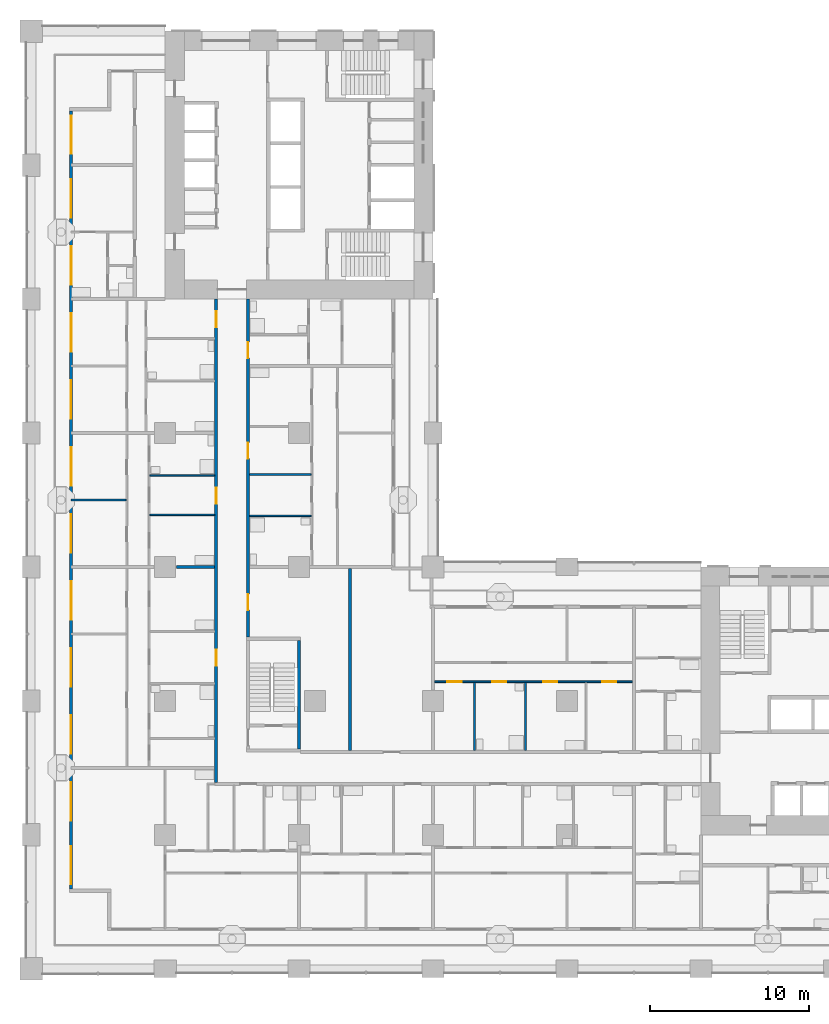
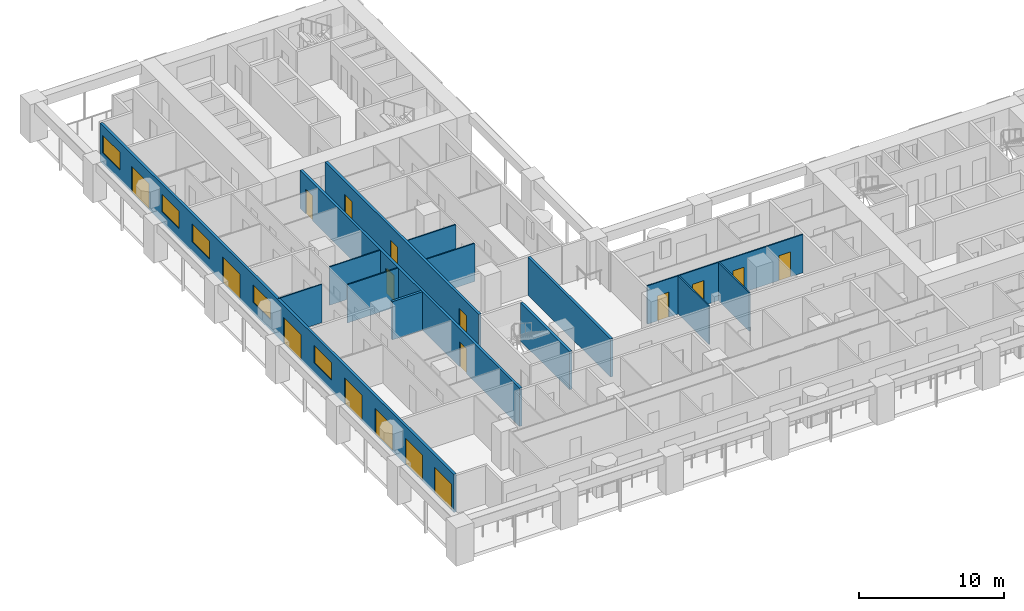
# One storey, part 4 of 22: 17 doors, 14 walls, 5 windows, 22 openings.
"""IFC4 building model written with IfcOpenShell, lengths in metres."""

import ifcopenshell
import ifcopenshell.guid

model = None  # the IFC model being written
_history = None  # IfcOwnerHistory: only IFC2X3 demands one
_inside = {}  # id of a spatial element -> (the spatial element, [elements in it])
_under = {}  # id of a project, library or spatial element -> (it, [spatial elements below it])
_declared = {}  # id of a project -> (the project, [libraries it declares])
_typed = {}  # id of a type object -> (the type object, [elements of that type])
_made_of = {}  # id of a material, layer set ... -> (it, [elements and type objects made of it])


def new_model(schema):
    """Start an empty IFC model of exactly this schema.

    Asked for "IFC4X3", IfcOpenShell would pick the latest addendum, in which some entities
    have other attributes; the version numbers below select the first issue.
    IFC2X3 requires an IfcOwnerHistory on every rooted entity: one is made here for all.
    """
    global model, _history
    if schema == "IFC4X3":
        model = ifcopenshell.file(schema_version=(4, 3, 0, 0))
    else:
        model = ifcopenshell.file(schema=schema)
    _inside.clear()
    _under.clear()
    _declared.clear()
    _typed.clear()
    _made_of.clear()
    _history = None
    if model.schema == "IFC2X3":
        org = make("IfcOrganization", Name="unknown")
        user = make(
            "IfcPersonAndOrganization",
            ThePerson=make("IfcPerson", FamilyName="unknown"),
            TheOrganization=org,
        )
        app = make(
            "IfcApplication",
            ApplicationDeveloper=org,
            Version="unknown",
            ApplicationFullName="unknown",
            ApplicationIdentifier="unknown",
        )
        _history = make(
            "IfcOwnerHistory",
            OwningUser=user,
            OwningApplication=app,
            ChangeAction="ADDED",
            CreationDate=0,
        )
    return model


def make(cls, **values):
    """One entity of the class cls with the attributes given. An attribute that is None is left unset."""
    return model.create_entity(
        cls, **{name: value for name, value in values.items() if value is not None}
    )


def rooted(cls, **values):
    """An entity with a GlobalId (a new one), such as an element, a storey or a relation."""
    return make(cls, GlobalId=ifcopenshell.guid.new(), OwnerHistory=_history, **values)


def si_unit(unit_type, name, prefix=None):
    """IfcSIUnit, for example si_unit("LENGTHUNIT", "METRE", prefix="MILLI")."""
    return make("IfcSIUnit", UnitType=unit_type, Prefix=prefix, Name=name)


def assignment(units):
    """IfcUnitAssignment: the units of a project."""
    return None if units is None else make("IfcUnitAssignment", Units=units)


def point(xyz):
    """IfcCartesianPoint."""
    return None if xyz is None else make("IfcCartesianPoint", Coordinates=xyz)


def direction(xyz):
    """IfcDirection."""
    return None if xyz is None else make("IfcDirection", DirectionRatios=xyz)


def frame(location, z_axis=None, x_axis=None):
    """IfcAxis2Placement3D, a coordinate frame: its origin and axes. An axis left out is left unset."""
    return make(
        "IfcAxis2Placement3D",
        Location=point(location),
        Axis=direction(z_axis),
        RefDirection=direction(x_axis),
    )


def frame_2d(location, x_axis=None):
    """IfcAxis2Placement2D, a coordinate frame in the plane: its origin and x axis."""
    return make(
        "IfcAxis2Placement2D", Location=point(location), RefDirection=direction(x_axis)
    )


def origin():
    """The frame at (0, 0, 0) with its axes left unset."""
    return frame((0.0, 0.0, 0.0))


def place(relative_to, where):
    """IfcLocalPlacement: puts the frame where relative to a parent placement (None: the world)."""
    return make(
        "IfcLocalPlacement", PlacementRelTo=relative_to, RelativePlacement=where
    )


def context(
    kind, dimensions, precision=None, world=None, true_north=None, identifier=None
):
    """IfcGeometricRepresentationContext, for example the 3D "Model" context."""
    return make(
        "IfcGeometricRepresentationContext",
        ContextIdentifier=identifier,
        ContextType=kind,
        CoordinateSpaceDimension=dimensions,
        Precision=precision,
        WorldCoordinateSystem=world,
        TrueNorth=true_north,
    )


def subcontext(parent, identifier, kind, view, scale=None):
    """IfcGeometricRepresentationSubContext, for example "Body" below "Model"."""
    return make(
        "IfcGeometricRepresentationSubContext",
        ContextIdentifier=identifier,
        ContextType=kind,
        ParentContext=parent,
        TargetScale=scale,
        TargetView=view,
    )


def project(units=None, contexts=None):
    """IfcProject with its units and contexts."""
    return rooted(
        "IfcProject",
        Name="project",
        RepresentationContexts=contexts,
        UnitsInContext=assignment(units),
    )


def spatial(cls, under=None, at=None, **own):
    """A site, building, storey or space (cls), placed at a placement, below another one or the project."""
    s = rooted(cls, ObjectPlacement=at, **own)
    if under is not None:
        _under.setdefault(under.id(), (under, []))[1].append(s)
    return s


def profile(cls, at=None, kind="AREA", **sizes):
    """A parametric profile (cls). Its sizes go by their IFC names, for example OverallWidth=200.0."""
    return make(cls, ProfileType=kind, Position=at, **sizes)


def rectangle(**sizes):
    """IfcRectangleProfileDef."""
    return profile("IfcRectangleProfileDef", **sizes)


def extrude(swept, where, along, depth):
    """IfcExtrudedAreaSolid: the profile swept, set in the frame where, extruded along a direction by depth."""
    return make(
        "IfcExtrudedAreaSolid",
        SweptArea=swept,
        Position=where,
        ExtrudedDirection=direction(along),
        Depth=depth,
    )


def shape(context_of_items, identifier, shape_type, items):
    """IfcShapeRepresentation: the items that make up one representation, for example the "Body"."""
    return make(
        "IfcShapeRepresentation",
        ContextOfItems=context_of_items,
        RepresentationIdentifier=identifier,
        RepresentationType=shape_type,
        Items=items,
    )


def material(Name=None, Category=None):
    """IfcMaterial."""
    return make("IfcMaterial", Name=Name, Category=Category)


def layer(
    of_material, thickness, ventilated=None, Name=None, Category=None, Priority=None
):
    """IfcMaterialLayer: one layer of a wall or slab, of a material (None: an air gap)."""
    return make(
        "IfcMaterialLayer",
        Material=of_material,
        LayerThickness=thickness,
        IsVentilated=ventilated,
        Name=Name,
        Category=Category,
        Priority=Priority,
    )


def layer_set(layers, Name=None):
    """IfcMaterialLayerSet."""
    return make("IfcMaterialLayerSet", MaterialLayers=layers, LayerSetName=Name)


def made_of(thing, what):
    """Note that an element or type object is made of a material, layer set ...; save() writes the relation."""
    if what is not None:
        _made_of.setdefault(what.id(), (what, []))[1].append(thing)
    return thing


def type_object(cls, material=None, **own):
    """A type object (cls), such as IfcWallType, which elements share."""
    return made_of(rooted(cls, **own), material)


def element(
    cls,
    number,
    at=None,
    inside=None,
    cuts=None,
    type_object=None,
    material=None,
    context=None,
    identifier="Body",
    shape_type=None,
    held_by="IfcProductDefinitionShape",
    body=None,
    shapes=None,
    **own,
):
    """One element of the class cls, such as IfcWall. Its Tag is "e" and its number.

    at: its placement. inside: the storey or other place that contains it. cuts: it is an
    opening in that element (IfcRelVoidsElement). A single representation is given by context,
    identifier, shape_type and body (its items); several are given by shapes. held_by: the class
    of the entity that holds the representations. save() writes the other relations.
    """
    e = rooted(cls, Tag="e%d" % number, ObjectPlacement=at, **own)
    if body is not None:
        shapes = [shape(context, identifier, shape_type, body)]
    if shapes is not None:
        e.Representation = make(held_by, Representations=shapes)
    if inside is not None:
        _inside.setdefault(inside.id(), (inside, []))[1].append(e)
    if cuts is not None:
        rooted(
            "IfcRelVoidsElement", RelatingBuildingElement=cuts, RelatedOpeningElement=e
        )
    if type_object is not None:
        _typed.setdefault(type_object.id(), (type_object, []))[1].append(e)
    return made_of(e, material)


def fill(opening, filler):
    """IfcRelFillsElement: the door or window that sits in an opening."""
    return rooted(
        "IfcRelFillsElement",
        RelatingOpeningElement=opening,
        RelatedBuildingElement=filler,
    )


def aggregate(whole, parts):
    """IfcRelAggregates: a whole, such as a stair, and the parts it consists of."""
    return rooted("IfcRelAggregates", RelatingObject=whole, RelatedObjects=parts)


def save(model, path):
    """Write the relations noted so far, then the file.

    IfcRelAggregates (storeys below a building ...), IfcRelContainedInSpatialStructure (elements
    in a storey), IfcRelDefinesByType, IfcRelAssociatesMaterial and IfcRelDeclares: one each for
    every whole, place, type object, material and project.
    """
    for whole, parts in _under.values():
        aggregate(whole, parts)
    for where, things in _inside.values():
        rooted(
            "IfcRelContainedInSpatialStructure",
            RelatedElements=things,
            RelatingStructure=where,
        )
    for kind, things in _typed.values():
        rooted("IfcRelDefinesByType", RelatedObjects=things, RelatingType=kind)
    for what, things in _made_of.values():
        rooted("IfcRelAssociatesMaterial", RelatedObjects=things, RelatingMaterial=what)
    for by, libraries in _declared.values():
        rooted("IfcRelDeclares", RelatingContext=by, RelatedDefinitions=libraries)
    model.write(path)


model = new_model("IFC4")

# Units and contexts
model_context = context("Model", 3, precision=1e-05, world=origin(), true_north=direction((0.0, 1.0)))
body_context = subcontext(model_context, "Body", "Model", "MODEL_VIEW")
ifc_project = project(units=[si_unit("LENGTHUNIT", "METRE"), si_unit("AREAUNIT", "SQUARE_METRE"), si_unit("VOLUMEUNIT", "CUBIC_METRE"), si_unit("PLANEANGLEUNIT", "RADIAN"), si_unit("MASSUNIT", "GRAM", prefix="KILO")], contexts=[model_context])

# Site, building, storey
site_placement = place(None, origin())
site = spatial("IfcSite", under=ifc_project, at=site_placement, CompositionType="ELEMENT")
building_placement = place(site_placement, origin())
building = spatial("IfcBuilding", under=site, at=building_placement, Name="Vermilion Gate Residences", CompositionType="ELEMENT")
storey_placement = place(building_placement, frame((0.0, 0.0, 56.699951171875)))
storey = spatial("IfcBuildingStorey", under=building, at=storey_placement, Name="L13", CompositionType="ELEMENT", Elevation=56.699951171875)

# Wall, openings, doors, windows
ifc_material_1 = material(Name="Insulated steel stud wall with terracotta rainscreen", Category="masonry")
ifc_layer_1 = layer(ifc_material_1, 0.199951171875)
ifc_layer_set_1 = layer_set([ifc_layer_1], Name="EXTERNAL WALL 200 TERRACOTTA RAINSCREEN")
wall_type_1 = type_object("IfcWallType", Name="EXTERNAL WALL 200 TERRACOTTA RAINSCREEN", PredefinedType="SOLIDWALL", material=ifc_layer_set_1)
wall_1_placement = place(storey_placement, frame((2.5, 53.800048828125, 0.0), z_axis=(0.0, 0.0, 1.0), x_axis=(0.0, -1.0, 0.0)))
wall_1 = element("IfcWall", 1, at=wall_1_placement, inside=storey, type_object=wall_type_1, Name="External wall", PredefinedType="SOLIDWALL", context=body_context, shape_type="SweptSolid", body=[
    extrude(rectangle(XDim=48.800048828125, YDim=0.199951171875, at=frame_2d((24.39990234375, 0.0))), origin(), (0.0, 0.0, 1.0), 3.219970703125),
])
opening_1_placement = place(wall_1_placement, frame((46.10009765625, 0.0, 0.0)))
opening_1 = element("IfcOpeningElement", 2, at=opening_1_placement, cuts=wall_1, Name="Opening DE13002", PredefinedType="OPENING", context=body_context, shape_type="SweptSolid", body=[
    extrude(rectangle(XDim=2.39990234375, YDim=2.199951171875, at=frame_2d((1.199951171875, 1.10009765625))), frame((0.0, 0.10986328125, 0.0), z_axis=(0.0, -1.0, 0.0), x_axis=(1.0, 0.0, 0.0)), (0.0, 0.0, 1.0), 0.219970703125),
])
opening_2_placement = place(wall_1_placement, frame((42.10009765625, 0.0, 0.0)))
opening_2 = element("IfcOpeningElement", 3, at=opening_2_placement, cuts=wall_1, Name="Opening DE13003", PredefinedType="OPENING", context=body_context, shape_type="SweptSolid", body=[
    extrude(rectangle(XDim=2.39990234375, YDim=2.199951171875, at=frame_2d((1.199951171875, 1.10009765625))), frame((0.0, 0.10986328125, 0.0), z_axis=(0.0, -1.0, 0.0), x_axis=(1.0, 0.0, 0.0)), (0.0, 0.0, 1.0), 0.219970703125),
])
opening_3_placement = place(wall_1_placement, frame((37.89990234375, 0.0, 0.0)))
opening_3 = element("IfcOpeningElement", 4, at=opening_3_placement, cuts=wall_1, Name="Opening DE13004", PredefinedType="OPENING", context=body_context, shape_type="SweptSolid", body=[
    extrude(rectangle(XDim=2.39990234375, YDim=2.199951171875, at=frame_2d((1.199951171875, 1.10009765625))), frame((0.0, 0.10986328125, 0.0), z_axis=(0.0, -1.0, 0.0), x_axis=(1.0, 0.0, 0.0)), (0.0, 0.0, 1.0), 0.219970703125),
])
opening_4_placement = place(wall_1_placement, frame((33.699951171875, 0.0, 0.0)))
opening_4 = element("IfcOpeningElement", 5, at=opening_4_placement, cuts=wall_1, Name="Opening DE13005", PredefinedType="OPENING", context=body_context, shape_type="SweptSolid", body=[
    extrude(rectangle(XDim=2.39990234375, YDim=2.199951171875, at=frame_2d((1.199951171875, 1.10009765625))), frame((0.0, 0.10986328125, 0.0), z_axis=(0.0, -1.0, 0.0), x_axis=(1.0, 0.0, 0.0)), (0.0, 0.0, 1.0), 0.219970703125),
])
opening_5_placement = place(wall_1_placement, frame((29.5, 0.0, 0.89990234375)))
opening_5 = element("IfcOpeningElement", 6, at=opening_5_placement, cuts=wall_1, Name="Opening WE13006", PredefinedType="OPENING", context=body_context, shape_type="SweptSolid", body=[
    extrude(rectangle(XDim=2.39990234375, YDim=1.5, at=frame_2d((1.199951171875, 0.75))), frame((0.0, 0.10986328125, 0.0), z_axis=(0.0, -1.0, 0.0), x_axis=(1.0, 0.0, 0.0)), (0.0, 0.0, 1.0), 0.219970703125),
])
opening_6_placement = place(wall_1_placement, frame((25.300048828125, 0.0, 0.0)))
opening_6 = element("IfcOpeningElement", 7, at=opening_6_placement, cuts=wall_1, Name="Opening DE13007", PredefinedType="OPENING", context=body_context, shape_type="SweptSolid", body=[
    extrude(rectangle(XDim=2.39990234375, YDim=2.199951171875, at=frame_2d((1.199951171875, 1.10009765625))), frame((0.0, 0.10986328125, 0.0), z_axis=(0.0, -1.0, 0.0), x_axis=(1.0, 0.0, 0.0)), (0.0, 0.0, 1.0), 0.219970703125),
])
opening_7_placement = place(wall_1_placement, frame((21.10009765625, 0.0, 0.89990234375)))
opening_7 = element("IfcOpeningElement", 8, at=opening_7_placement, cuts=wall_1, Name="Opening WE13008", PredefinedType="OPENING", context=body_context, shape_type="SweptSolid", body=[
    extrude(rectangle(XDim=2.39990234375, YDim=1.5, at=frame_2d((1.199951171875, 0.75))), frame((0.0, 0.10986328125, 0.0), z_axis=(0.0, -1.0, 0.0), x_axis=(1.0, 0.0, 0.0)), (0.0, 0.0, 1.0), 0.219970703125),
])
opening_8_placement = place(wall_1_placement, frame((16.89990234375, 0.0, 0.0)))
opening_8 = element("IfcOpeningElement", 9, at=opening_8_placement, cuts=wall_1, Name="Opening DE13009", PredefinedType="OPENING", context=body_context, shape_type="SweptSolid", body=[
    extrude(rectangle(XDim=2.39990234375, YDim=2.199951171875, at=frame_2d((1.199951171875, 1.10009765625))), frame((0.0, 0.10986328125, 0.0), z_axis=(0.0, -1.0, 0.0), x_axis=(1.0, 0.0, 0.0)), (0.0, 0.0, 1.0), 0.219970703125),
])
opening_9_placement = place(wall_1_placement, frame((12.699951171875, 0.0, 0.89990234375)))
opening_9 = element("IfcOpeningElement", 10, at=opening_9_placement, cuts=wall_1, Name="Opening WE13010", PredefinedType="OPENING", context=body_context, shape_type="SweptSolid", body=[
    extrude(rectangle(XDim=2.39990234375, YDim=1.5, at=frame_2d((1.199951171875, 0.75))), frame((0.0, 0.10986328125, 0.0), z_axis=(0.0, -1.0, 0.0), x_axis=(1.0, 0.0, 0.0)), (0.0, 0.0, 1.0), 0.219970703125),
])
opening_10_placement = place(wall_1_placement, frame((8.5, 0.0, 0.89990234375)))
opening_10 = element("IfcOpeningElement", 11, at=opening_10_placement, cuts=wall_1, Name="Opening WE13011", PredefinedType="OPENING", context=body_context, shape_type="SweptSolid", body=[
    extrude(rectangle(XDim=2.39990234375, YDim=1.5, at=frame_2d((1.199951171875, 0.75))), frame((0.0, 0.10986328125, 0.0), z_axis=(0.0, -1.0, 0.0), x_axis=(1.0, 0.0, 0.0)), (0.0, 0.0, 1.0), 0.219970703125),
])
opening_11_placement = place(wall_1_placement, frame((4.300048828125, 0.0, 0.0)))
opening_11 = element("IfcOpeningElement", 12, at=opening_11_placement, cuts=wall_1, Name="Opening DE13012", PredefinedType="OPENING", context=body_context, shape_type="SweptSolid", body=[
    extrude(rectangle(XDim=2.39990234375, YDim=2.199951171875, at=frame_2d((1.199951171875, 1.10009765625))), frame((0.0, 0.10986328125, 0.0), z_axis=(0.0, -1.0, 0.0), x_axis=(1.0, 0.0, 0.0)), (0.0, 0.0, 1.0), 0.219970703125),
])
opening_12_placement = place(wall_1_placement, frame((0.300048828125, 0.0, 0.89990234375)))
opening_12 = element("IfcOpeningElement", 13, at=opening_12_placement, cuts=wall_1, Name="Opening WE13013", PredefinedType="OPENING", context=body_context, shape_type="SweptSolid", body=[
    extrude(rectangle(XDim=2.39990234375, YDim=1.5, at=frame_2d((1.199951171875, 0.75))), frame((0.0, 0.10986328125, 0.0), z_axis=(0.0, -1.0, 0.0), x_axis=(1.0, 0.0, 0.0)), (0.0, 0.0, 1.0), 0.219970703125),
])
ifc_material_2 = material(Name="Aluminium and clear glass", Category="aluminium")
door_type_1 = type_object("IfcDoorType", Name="SLIDING GLAZED DOOR 2400 X 2200", OperationType="DOUBLE_DOOR_SLIDING", PredefinedType="DOOR", material=ifc_material_2)
door_1_placement = place(opening_1_placement, origin())
door_1 = element("IfcDoor", 14, at=door_1_placement, inside=storey, type_object=door_type_1, Name="Loggia sliding door", OperationType="DOUBLE_DOOR_SLIDING", OverallHeight=2.199951171875, OverallWidth=2.39990234375, PredefinedType="DOOR", context=body_context, shape_type="SweptSolid", body=[
    extrude(rectangle(XDim=2.39990234375, YDim=2.199951171875, at=frame_2d((1.199951171875, 1.10009765625))), frame((0.0, 0.02490234375, 0.0), z_axis=(0.0, -1.0, 0.0), x_axis=(1.0, 0.0, 0.0)), (0.0, 0.0, 1.0), 0.050048828125),
])
fill(opening_1, door_1)
door_2_placement = place(opening_2_placement, origin())
door_2 = element("IfcDoor", 15, at=door_2_placement, inside=storey, type_object=door_type_1, Name="Loggia sliding door", OperationType="DOUBLE_DOOR_SLIDING", OverallHeight=2.199951171875, OverallWidth=2.39990234375, PredefinedType="DOOR", context=body_context, shape_type="SweptSolid", body=[
    extrude(rectangle(XDim=2.39990234375, YDim=2.199951171875, at=frame_2d((1.199951171875, 1.10009765625))), frame((0.0, 0.02490234375, 0.0), z_axis=(0.0, -1.0, 0.0), x_axis=(1.0, 0.0, 0.0)), (0.0, 0.0, 1.0), 0.050048828125),
])
fill(opening_2, door_2)
door_3_placement = place(opening_3_placement, origin())
door_3 = element("IfcDoor", 16, at=door_3_placement, inside=storey, type_object=door_type_1, Name="Loggia sliding door", OperationType="DOUBLE_DOOR_SLIDING", OverallHeight=2.199951171875, OverallWidth=2.39990234375, PredefinedType="DOOR", context=body_context, shape_type="SweptSolid", body=[
    extrude(rectangle(XDim=2.39990234375, YDim=2.199951171875, at=frame_2d((1.199951171875, 1.10009765625))), frame((0.0, 0.02490234375, 0.0), z_axis=(0.0, -1.0, 0.0), x_axis=(1.0, 0.0, 0.0)), (0.0, 0.0, 1.0), 0.050048828125),
])
fill(opening_3, door_3)
door_4_placement = place(opening_4_placement, origin())
door_4 = element("IfcDoor", 17, at=door_4_placement, inside=storey, type_object=door_type_1, Name="Loggia sliding door", OperationType="DOUBLE_DOOR_SLIDING", OverallHeight=2.199951171875, OverallWidth=2.39990234375, PredefinedType="DOOR", context=body_context, shape_type="SweptSolid", body=[
    extrude(rectangle(XDim=2.39990234375, YDim=2.199951171875, at=frame_2d((1.199951171875, 1.10009765625))), frame((0.0, 0.02490234375, 0.0), z_axis=(0.0, -1.0, 0.0), x_axis=(1.0, 0.0, 0.0)), (0.0, 0.0, 1.0), 0.050048828125),
])
fill(opening_4, door_4)
door_5_placement = place(opening_6_placement, origin())
door_5 = element("IfcDoor", 18, at=door_5_placement, inside=storey, type_object=door_type_1, Name="Loggia sliding door", OperationType="DOUBLE_DOOR_SLIDING", OverallHeight=2.199951171875, OverallWidth=2.39990234375, PredefinedType="DOOR", context=body_context, shape_type="SweptSolid", body=[
    extrude(rectangle(XDim=2.39990234375, YDim=2.199951171875, at=frame_2d((1.199951171875, 1.10009765625))), frame((0.0, 0.02490234375, 0.0), z_axis=(0.0, -1.0, 0.0), x_axis=(1.0, 0.0, 0.0)), (0.0, 0.0, 1.0), 0.050048828125),
])
fill(opening_6, door_5)
door_6_placement = place(opening_8_placement, origin())
door_6 = element("IfcDoor", 19, at=door_6_placement, inside=storey, type_object=door_type_1, Name="Loggia sliding door", OperationType="DOUBLE_DOOR_SLIDING", OverallHeight=2.199951171875, OverallWidth=2.39990234375, PredefinedType="DOOR", context=body_context, shape_type="SweptSolid", body=[
    extrude(rectangle(XDim=2.39990234375, YDim=2.199951171875, at=frame_2d((1.199951171875, 1.10009765625))), frame((0.0, 0.02490234375, 0.0), z_axis=(0.0, -1.0, 0.0), x_axis=(1.0, 0.0, 0.0)), (0.0, 0.0, 1.0), 0.050048828125),
])
fill(opening_8, door_6)
door_7_placement = place(opening_11_placement, origin())
door_7 = element("IfcDoor", 20, at=door_7_placement, inside=storey, type_object=door_type_1, Name="Loggia sliding door", OperationType="DOUBLE_DOOR_SLIDING", OverallHeight=2.199951171875, OverallWidth=2.39990234375, PredefinedType="DOOR", context=body_context, shape_type="SweptSolid", body=[
    extrude(rectangle(XDim=2.39990234375, YDim=2.199951171875, at=frame_2d((1.199951171875, 1.10009765625))), frame((0.0, 0.02490234375, 0.0), z_axis=(0.0, -1.0, 0.0), x_axis=(1.0, 0.0, 0.0)), (0.0, 0.0, 1.0), 0.050048828125),
])
fill(opening_11, door_7)
ifc_material_3 = material(Name="Aluminium and clear glass", Category="aluminium")
window_type = type_object("IfcWindowType", Name="WINDOW 2400 X 1500", PartitioningType="SINGLE_PANEL", PredefinedType="WINDOW", material=ifc_material_3)
window_1_placement = place(opening_5_placement, origin())
window_1 = element("IfcWindow", 21, at=window_1_placement, inside=storey, type_object=window_type, Name="Window", OverallHeight=1.5, OverallWidth=2.39990234375, PartitioningType="SINGLE_PANEL", PredefinedType="WINDOW", context=body_context, shape_type="SweptSolid", body=[
    extrude(rectangle(XDim=2.39990234375, YDim=1.5, at=frame_2d((1.199951171875, 0.75))), frame((0.0, 0.030029296875, 0.0), z_axis=(0.0, -1.0, 0.0), x_axis=(1.0, 0.0, 0.0)), (0.0, 0.0, 1.0), 0.06005859375),
])
fill(opening_5, window_1)
window_2_placement = place(opening_7_placement, origin())
window_2 = element("IfcWindow", 22, at=window_2_placement, inside=storey, type_object=window_type, Name="Window", OverallHeight=1.5, OverallWidth=2.39990234375, PartitioningType="SINGLE_PANEL", PredefinedType="WINDOW", context=body_context, shape_type="SweptSolid", body=[
    extrude(rectangle(XDim=2.39990234375, YDim=1.5, at=frame_2d((1.199951171875, 0.75))), frame((0.0, 0.030029296875, 0.0), z_axis=(0.0, -1.0, 0.0), x_axis=(1.0, 0.0, 0.0)), (0.0, 0.0, 1.0), 0.06005859375),
])
fill(opening_7, window_2)
window_3_placement = place(opening_9_placement, origin())
window_3 = element("IfcWindow", 23, at=window_3_placement, inside=storey, type_object=window_type, Name="Window", OverallHeight=1.5, OverallWidth=2.39990234375, PartitioningType="SINGLE_PANEL", PredefinedType="WINDOW", context=body_context, shape_type="SweptSolid", body=[
    extrude(rectangle(XDim=2.39990234375, YDim=1.5, at=frame_2d((1.199951171875, 0.75))), frame((0.0, 0.030029296875, 0.0), z_axis=(0.0, -1.0, 0.0), x_axis=(1.0, 0.0, 0.0)), (0.0, 0.0, 1.0), 0.06005859375),
])
fill(opening_9, window_3)
window_4_placement = place(opening_10_placement, origin())
window_4 = element("IfcWindow", 24, at=window_4_placement, inside=storey, type_object=window_type, Name="Window", OverallHeight=1.5, OverallWidth=2.39990234375, PartitioningType="SINGLE_PANEL", PredefinedType="WINDOW", context=body_context, shape_type="SweptSolid", body=[
    extrude(rectangle(XDim=2.39990234375, YDim=1.5, at=frame_2d((1.199951171875, 0.75))), frame((0.0, 0.030029296875, 0.0), z_axis=(0.0, -1.0, 0.0), x_axis=(1.0, 0.0, 0.0)), (0.0, 0.0, 1.0), 0.06005859375),
])
fill(opening_10, window_4)
window_5_placement = place(opening_12_placement, origin())
window_5 = element("IfcWindow", 25, at=window_5_placement, inside=storey, type_object=window_type, Name="Window", OverallHeight=1.5, OverallWidth=2.39990234375, PartitioningType="SINGLE_PANEL", PredefinedType="WINDOW", context=body_context, shape_type="SweptSolid", body=[
    extrude(rectangle(XDim=2.39990234375, YDim=1.5, at=frame_2d((1.199951171875, 0.75))), frame((0.0, 0.030029296875, 0.0), z_axis=(0.0, -1.0, 0.0), x_axis=(1.0, 0.0, 0.0)), (0.0, 0.0, 1.0), 0.06005859375),
])
fill(opening_12, window_5)

# Wall, openings, doors
ifc_material_4 = material(Name="Plasterboard on steel studs", Category="steel")
ifc_layer_2 = layer(ifc_material_4, 0.10009765625)
ifc_layer_set_2 = layer_set([ifc_layer_2], Name="PARTITION 100")
wall_type_2 = type_object("IfcWallType", Name="PARTITION 100", PredefinedType="PARTITIONING", material=ifc_layer_set_2)
wall_2_placement = place(storey_placement, frame((25.300048828125, 18.0, 0.0), z_axis=(0.0, 0.0, 1.0), x_axis=(1.0, 0.0, 0.0)))
wall_2 = element("IfcWall", 26, at=wall_2_placement, inside=storey, type_object=wall_type_2, Name="Partition", PredefinedType="PARTITIONING", context=body_context, shape_type="SweptSolid", body=[
    extrude(rectangle(XDim=12.39990234375, YDim=0.10009765625, at=frame_2d((6.199951171875, 0.0))), origin(), (0.0, 0.0, 1.0), 3.219970703125),
])
opening_13_placement = place(wall_2_placement, frame((10.5, 0.0, 0.0)))
opening_13 = element("IfcOpeningElement", 27, at=opening_13_placement, cuts=wall_2, Name="Opening DA13037", PredefinedType="OPENING", context=body_context, shape_type="SweptSolid", body=[
    extrude(rectangle(XDim=0.89990234375, YDim=2.10009765625, at=frame_2d((0.449951171875, 1.050048828125))), frame((0.0, 0.06005859375, 0.0), z_axis=(0.0, -1.0, 0.0), x_axis=(1.0, 0.0, 0.0)), (0.0, 0.0, 1.0), 0.1201171875),
])
opening_14_placement = place(wall_2_placement, frame((0.800048828125, 0.0, 0.0)))
opening_14 = element("IfcOpeningElement", 28, at=opening_14_placement, cuts=wall_2, Name="Opening DA13038", PredefinedType="OPENING", context=body_context, shape_type="SweptSolid", body=[
    extrude(rectangle(XDim=0.89990234375, YDim=2.10009765625, at=frame_2d((0.449951171875, 1.050048828125))), frame((0.0, 0.06005859375, 0.0), z_axis=(0.0, -1.0, 0.0), x_axis=(1.0, 0.0, 0.0)), (0.0, 0.0, 1.0), 0.1201171875),
])
opening_15_placement = place(wall_2_placement, frame((3.60009765625, 0.0, 0.0)))
opening_15 = element("IfcOpeningElement", 29, at=opening_15_placement, cuts=wall_2, Name="Opening DA13039", PredefinedType="OPENING", context=body_context, shape_type="SweptSolid", body=[
    extrude(rectangle(XDim=0.89990234375, YDim=2.10009765625, at=frame_2d((0.449951171875, 1.050048828125))), frame((0.0, 0.06005859375, 0.0), z_axis=(0.0, -1.0, 0.0), x_axis=(1.0, 0.0, 0.0)), (0.0, 0.0, 1.0), 0.1201171875),
])
opening_16_placement = place(wall_2_placement, frame((6.800048828125, 0.0, 0.0)))
opening_16 = element("IfcOpeningElement", 30, at=opening_16_placement, cuts=wall_2, Name="Opening DA13040", PredefinedType="OPENING", context=body_context, shape_type="SweptSolid", body=[
    extrude(rectangle(XDim=0.89990234375, YDim=2.10009765625, at=frame_2d((0.449951171875, 1.050048828125))), frame((0.0, 0.06005859375, 0.0), z_axis=(0.0, -1.0, 0.0), x_axis=(1.0, 0.0, 0.0)), (0.0, 0.0, 1.0), 0.1201171875),
])
ifc_material_5 = material(Name="Timber", Category="wood")
door_type_2 = type_object("IfcDoorType", Name="INTERIOR DOOR 900 X 2100", OperationType="SINGLE_SWING_LEFT", PredefinedType="DOOR", material=ifc_material_5)
door_8_placement = place(opening_13_placement, frame((0.89990234375, 0.0, 0.0), z_axis=(0.0, 0.0, 1.0), x_axis=(-1.0, 0.0, 0.0)))
door_8 = element("IfcDoor", 31, at=door_8_placement, inside=storey, type_object=door_type_2, Name="Interior door", OperationType="SINGLE_SWING_RIGHT", OverallHeight=2.10009765625, OverallWidth=0.89990234375, PredefinedType="DOOR", context=body_context, shape_type="SweptSolid", body=[
    extrude(rectangle(XDim=0.89990234375, YDim=2.10009765625, at=frame_2d((0.449951171875, 1.050048828125))), frame((0.0, 0.02490234375, 0.0), z_axis=(0.0, -1.0, 0.0), x_axis=(1.0, 0.0, 0.0)), (0.0, 0.0, 1.0), 0.050048828125),
])
fill(opening_13, door_8)
door_9_placement = place(opening_14_placement, frame((0.89990234375, 0.0, 0.0), z_axis=(0.0, 0.0, 1.0), x_axis=(-1.0, 0.0, 0.0)))
door_9 = element("IfcDoor", 32, at=door_9_placement, inside=storey, type_object=door_type_2, Name="Interior door", OperationType="SINGLE_SWING_LEFT", OverallHeight=2.10009765625, OverallWidth=0.89990234375, PredefinedType="DOOR", context=body_context, shape_type="SweptSolid", body=[
    extrude(rectangle(XDim=0.89990234375, YDim=2.10009765625, at=frame_2d((0.449951171875, 1.050048828125))), frame((0.0, 0.02490234375, 0.0), z_axis=(0.0, -1.0, 0.0), x_axis=(1.0, 0.0, 0.0)), (0.0, 0.0, 1.0), 0.050048828125),
])
fill(opening_14, door_9)
door_10_placement = place(opening_15_placement, frame((0.89990234375, 0.0, 0.0), z_axis=(0.0, 0.0, 1.0), x_axis=(-1.0, 0.0, 0.0)))
door_10 = element("IfcDoor", 33, at=door_10_placement, inside=storey, type_object=door_type_2, Name="Interior door", OperationType="SINGLE_SWING_LEFT", OverallHeight=2.10009765625, OverallWidth=0.89990234375, PredefinedType="DOOR", context=body_context, shape_type="SweptSolid", body=[
    extrude(rectangle(XDim=0.89990234375, YDim=2.10009765625, at=frame_2d((0.449951171875, 1.050048828125))), frame((0.0, 0.02490234375, 0.0), z_axis=(0.0, -1.0, 0.0), x_axis=(1.0, 0.0, 0.0)), (0.0, 0.0, 1.0), 0.050048828125),
])
fill(opening_15, door_10)
door_11_placement = place(opening_16_placement, frame((0.89990234375, 0.0, 0.0), z_axis=(0.0, 0.0, 1.0), x_axis=(-1.0, 0.0, 0.0)))
door_11 = element("IfcDoor", 34, at=door_11_placement, inside=storey, type_object=door_type_2, Name="Interior door", OperationType="SINGLE_SWING_RIGHT", OverallHeight=2.10009765625, OverallWidth=0.89990234375, PredefinedType="DOOR", context=body_context, shape_type="SweptSolid", body=[
    extrude(rectangle(XDim=0.89990234375, YDim=2.10009765625, at=frame_2d((0.449951171875, 1.050048828125))), frame((0.0, 0.02490234375, 0.0), z_axis=(0.0, -1.0, 0.0), x_axis=(1.0, 0.0, 0.0)), (0.0, 0.0, 1.0), 0.050048828125),
])
fill(opening_16, door_11)

# Walls
wall_3_placement = place(storey_placement, frame((13.699951171875, 28.39990234375, 0.0), z_axis=(0.0, 0.0, 1.0), x_axis=(1.0, 0.0, 0.0)))
element("IfcWall", 35, at=wall_3_placement, inside=storey, type_object=wall_type_2, Name="Partition", PredefinedType="PARTITIONING", context=body_context, shape_type="SweptSolid", body=[
    extrude(rectangle(XDim=3.85009765625, YDim=0.10009765625, at=frame_2d((1.925048828125, 0.0))), origin(), (0.0, 0.0, 1.0), 3.219970703125),
])
wall_4_placement = place(storey_placement, frame((7.449951171875, 28.467041015625, 0.0), z_axis=(0.0, 0.0, 1.0), x_axis=(1.0, 0.0, 0.0)))
element("IfcWall", 36, at=wall_4_placement, inside=storey, type_object=wall_type_2, Name="Partition", PredefinedType="PARTITIONING", context=body_context, shape_type="SweptSolid", body=[
    extrude(rectangle(XDim=4.050048828125, YDim=0.10009765625, at=frame_2d((2.02490234375, 0.0))), origin(), (0.0, 0.0, 1.0), 3.219970703125),
])
wall_5_placement = place(storey_placement, frame((2.5, 29.39990234375, 0.0), z_axis=(0.0, 0.0, 1.0), x_axis=(1.0, 0.0, 0.0)))
element("IfcWall", 37, at=wall_5_placement, inside=storey, type_object=wall_type_2, Name="Partition", PredefinedType="PARTITIONING", context=body_context, shape_type="SweptSolid", body=[
    extrude(rectangle(XDim=3.449951171875, YDim=0.10009765625, at=frame_2d((1.72509765625, 0.0))), origin(), (0.0, 0.0, 1.0), 3.219970703125),
])
wall_6_placement = place(storey_placement, frame((7.449951171875, 30.93310546875, 0.0), z_axis=(0.0, 0.0, 1.0), x_axis=(1.0, 0.0, 0.0)))
element("IfcWall", 38, at=wall_6_placement, inside=storey, type_object=wall_type_2, Name="Partition", PredefinedType="PARTITIONING", context=body_context, shape_type="SweptSolid", body=[
    extrude(rectangle(XDim=4.050048828125, YDim=0.10009765625, at=frame_2d((2.02490234375, 0.0))), origin(), (0.0, 0.0, 1.0), 3.219970703125),
])
wall_7_placement = place(storey_placement, frame((13.699951171875, 31.0, 0.0), z_axis=(0.0, 0.0, 1.0), x_axis=(1.0, 0.0, 0.0)))
element("IfcWall", 39, at=wall_7_placement, inside=storey, type_object=wall_type_2, Name="Partition", PredefinedType="PARTITIONING", context=body_context, shape_type="SweptSolid", body=[
    extrude(rectangle(XDim=3.85009765625, YDim=0.10009765625, at=frame_2d((1.925048828125, 0.0))), origin(), (0.0, 0.0, 1.0), 3.219970703125),
])
for number, where, z_axis, x_axis, name in (
    (40, (27.800048828125, 13.699951171875, 0.0), (0.0, 0.0, 1.0), (0.0, 1.0, 0.0), "Partition"),
    (41, (31.0, 13.699951171875, 0.0), (0.0, 0.0, 1.0), (0.0, 1.0, 0.0), "Partition"),
):
    element("IfcWall", number, at=place(storey_placement, frame(where, z_axis=z_axis, x_axis=x_axis)), inside=storey, type_object=wall_type_2, Name=name, PredefinedType="PARTITIONING", context=body_context, shape_type="SweptSolid", body=[
        extrude(rectangle(XDim=4.25, YDim=0.10009765625, at=frame_2d((2.125, 0.0))), origin(), (0.0, 0.0, 1.0), 3.219970703125),
    ])
ifc_material_6 = material(Name="Fire-rated plasterboard on steel studs", Category="steel")
ifc_layer_3 = layer(ifc_material_6, 0.199951171875)
ifc_layer_set_3 = layer_set([ifc_layer_3], Name="PARTY WALL 200 EI 120")
wall_type_3 = type_object("IfcWallType", Name="PARTY WALL 200 EI 120", PredefinedType="PARTITIONING", material=ifc_layer_set_3)
wall_8_placement = place(storey_placement, frame((9.10009765625, 25.199951171875, 0.0), z_axis=(0.0, 0.0, 1.0), x_axis=(1.0, 0.0, 0.0)))
element("IfcWall", 42, at=wall_8_placement, inside=storey, type_object=wall_type_3, Name="Party and corridor wall", PredefinedType="PARTITIONING", context=body_context, shape_type="SweptSolid", body=[
    extrude(rectangle(XDim=2.39990234375, YDim=0.199951171875, at=frame_2d((1.199951171875, 0.0))), origin(), (0.0, 0.0, 1.0), 3.219970703125),
])

# Wall, openings, doors
wall_9_placement = place(storey_placement, frame((11.60009765625, 11.699951171875, 0.0), z_axis=(0.0, 0.0, 1.0), x_axis=(0.0, 1.0, 0.0)))
wall_9 = element("IfcWall", 43, at=wall_9_placement, inside=storey, type_object=wall_type_3, Name="Party and corridor wall", PredefinedType="PARTITIONING", context=body_context, shape_type="SweptSolid", body=[
    extrude(rectangle(XDim=30.300048828125, YDim=0.199951171875, at=frame_2d((15.14990234375, 0.0))), origin(), (0.0, 0.0, 1.0), 3.219970703125),
])
opening_17_placement = place(wall_9_placement, frame((7.300048828125, 0.0, 0.0)))
opening_17 = element("IfcOpeningElement", 44, at=opening_17_placement, cuts=wall_9, Name="Opening DA13066", PredefinedType="OPENING", context=body_context, shape_type="SweptSolid", body=[
    extrude(rectangle(XDim=1.0, YDim=2.10009765625, at=frame_2d((0.5, 1.050048828125))), frame((0.0, 0.10986328125, 0.0), z_axis=(0.0, -1.0, 0.0), x_axis=(1.0, 0.0, 0.0)), (0.0, 0.0, 1.0), 0.219970703125),
])
opening_18_placement = place(wall_9_placement, frame((17.467041015625, 0.0, 0.0)))
opening_18 = element("IfcOpeningElement", 45, at=opening_18_placement, cuts=wall_9, Name="Opening DA13067", PredefinedType="OPENING", context=body_context, shape_type="SweptSolid", body=[
    extrude(rectangle(XDim=1.0, YDim=2.10009765625, at=frame_2d((0.5, 1.050048828125))), frame((0.0, 0.10986328125, 0.0), z_axis=(0.0, -1.0, 0.0), x_axis=(1.0, 0.0, 0.0)), (0.0, 0.0, 1.0), 0.219970703125),
])
opening_19_placement = place(wall_9_placement, frame((28.532958984375, 0.0, 0.0)))
opening_19 = element("IfcOpeningElement", 46, at=opening_19_placement, cuts=wall_9, Name="Opening DA13068", PredefinedType="OPENING", context=body_context, shape_type="SweptSolid", body=[
    extrude(rectangle(XDim=1.0, YDim=2.10009765625, at=frame_2d((0.5, 1.050048828125))), frame((0.0, 0.10986328125, 0.0), z_axis=(0.0, -1.0, 0.0), x_axis=(1.0, 0.0, 0.0)), (0.0, 0.0, 1.0), 0.219970703125),
])
ifc_material_7 = material(Name="Steel", Category="steel")
door_type_3 = type_object("IfcDoorType", Name="ENTRANCE DOOR 1000 X 2100 FD30", OperationType="SINGLE_SWING_LEFT", PredefinedType="DOOR", material=ifc_material_7)
door_12_placement = place(opening_17_placement, origin())
door_12 = element("IfcDoor", 47, at=door_12_placement, inside=storey, type_object=door_type_3, Name="Entrance door", OperationType="SINGLE_SWING_LEFT", OverallHeight=2.10009765625, OverallWidth=1.0, PredefinedType="DOOR", context=body_context, shape_type="SweptSolid", body=[
    extrude(rectangle(XDim=1.0, YDim=2.10009765625, at=frame_2d((0.5, 1.050048828125))), frame((0.0, 0.02490234375, 0.0), z_axis=(0.0, -1.0, 0.0), x_axis=(1.0, 0.0, 0.0)), (0.0, 0.0, 1.0), 0.050048828125),
])
fill(opening_17, door_12)
door_13_placement = place(opening_18_placement, origin())
door_13 = element("IfcDoor", 48, at=door_13_placement, inside=storey, type_object=door_type_3, Name="Entrance door", OperationType="SINGLE_SWING_LEFT", OverallHeight=2.10009765625, OverallWidth=1.0, PredefinedType="DOOR", context=body_context, shape_type="SweptSolid", body=[
    extrude(rectangle(XDim=1.0, YDim=2.10009765625, at=frame_2d((0.5, 1.050048828125))), frame((0.0, 0.02490234375, 0.0), z_axis=(0.0, -1.0, 0.0), x_axis=(1.0, 0.0, 0.0)), (0.0, 0.0, 1.0), 0.050048828125),
])
fill(opening_18, door_13)
door_14_placement = place(opening_19_placement, origin())
door_14 = element("IfcDoor", 49, at=door_14_placement, inside=storey, type_object=door_type_3, Name="Entrance door", OperationType="SINGLE_SWING_LEFT", OverallHeight=2.10009765625, OverallWidth=1.0, PredefinedType="DOOR", context=body_context, shape_type="SweptSolid", body=[
    extrude(rectangle(XDim=1.0, YDim=2.10009765625, at=frame_2d((0.5, 1.050048828125))), frame((0.0, 0.02490234375, 0.0), z_axis=(0.0, -1.0, 0.0), x_axis=(1.0, 0.0, 0.0)), (0.0, 0.0, 1.0), 0.050048828125),
])
fill(opening_19, door_14)

wall_10_placement = place(storey_placement, frame((13.60009765625, 20.800048828125, 0.0), z_axis=(0.0, 0.0, 1.0), x_axis=(0.0, 1.0, 0.0)))
wall_10 = element("IfcWall", 50, at=wall_10_placement, inside=storey, type_object=wall_type_3, Name="Party and corridor wall", PredefinedType="PARTITIONING", context=body_context, shape_type="SweptSolid", body=[
    extrude(rectangle(XDim=21.199951171875, YDim=0.199951171875, at=frame_2d((10.60009765625, 0.0))), origin(), (0.0, 0.0, 1.0), 3.219970703125),
])
opening_20_placement = place(wall_10_placement, frame((11.199951171875, 0.0, 0.0)))
opening_20 = element("IfcOpeningElement", 51, at=opening_20_placement, cuts=wall_10, Name="Opening DA13069", PredefinedType="OPENING", context=body_context, shape_type="SweptSolid", body=[
    extrude(rectangle(XDim=1.0, YDim=2.10009765625, at=frame_2d((0.5, 1.050048828125))), frame((0.0, 0.10986328125, 0.0), z_axis=(0.0, -1.0, 0.0), x_axis=(1.0, 0.0, 0.0)), (0.0, 0.0, 1.0), 0.219970703125),
])
opening_21_placement = place(wall_10_placement, frame((17.5, 0.0, 0.0)))
opening_21 = element("IfcOpeningElement", 52, at=opening_21_placement, cuts=wall_10, Name="Opening DA13070", PredefinedType="OPENING", context=body_context, shape_type="SweptSolid", body=[
    extrude(rectangle(XDim=1.0, YDim=2.10009765625, at=frame_2d((0.5, 1.050048828125))), frame((0.0, 0.10986328125, 0.0), z_axis=(0.0, -1.0, 0.0), x_axis=(1.0, 0.0, 0.0)), (0.0, 0.0, 1.0), 0.219970703125),
])
opening_22_placement = place(wall_10_placement, frame((1.699951171875, 0.0, 0.0)))
opening_22 = element("IfcOpeningElement", 53, at=opening_22_placement, cuts=wall_10, Name="Opening DA13071", PredefinedType="OPENING", context=body_context, shape_type="SweptSolid", body=[
    extrude(rectangle(XDim=1.0, YDim=2.10009765625, at=frame_2d((0.5, 1.050048828125))), frame((0.0, 0.10986328125, 0.0), z_axis=(0.0, -1.0, 0.0), x_axis=(1.0, 0.0, 0.0)), (0.0, 0.0, 1.0), 0.219970703125),
])
door_15_placement = place(opening_20_placement, frame((1.0, 0.0, 0.0), z_axis=(0.0, 0.0, 1.0), x_axis=(-1.0, 0.0, 0.0)))
door_15 = element("IfcDoor", 54, at=door_15_placement, inside=storey, type_object=door_type_3, Name="Entrance door", OperationType="SINGLE_SWING_RIGHT", OverallHeight=2.10009765625, OverallWidth=1.0, PredefinedType="DOOR", context=body_context, shape_type="SweptSolid", body=[
    extrude(rectangle(XDim=1.0, YDim=2.10009765625, at=frame_2d((0.5, 1.050048828125))), frame((0.0, 0.02490234375, 0.0), z_axis=(0.0, -1.0, 0.0), x_axis=(1.0, 0.0, 0.0)), (0.0, 0.0, 1.0), 0.050048828125),
])
fill(opening_20, door_15)
door_16_placement = place(opening_21_placement, frame((1.0, 0.0, 0.0), z_axis=(0.0, 0.0, 1.0), x_axis=(-1.0, 0.0, 0.0)))
door_16 = element("IfcDoor", 55, at=door_16_placement, inside=storey, type_object=door_type_3, Name="Entrance door", OperationType="SINGLE_SWING_RIGHT", OverallHeight=2.10009765625, OverallWidth=1.0, PredefinedType="DOOR", context=body_context, shape_type="SweptSolid", body=[
    extrude(rectangle(XDim=1.0, YDim=2.10009765625, at=frame_2d((0.5, 1.050048828125))), frame((0.0, 0.02490234375, 0.0), z_axis=(0.0, -1.0, 0.0), x_axis=(1.0, 0.0, 0.0)), (0.0, 0.0, 1.0), 0.050048828125),
])
fill(opening_21, door_16)
door_17_placement = place(opening_22_placement, frame((1.0, 0.0, 0.0), z_axis=(0.0, 0.0, 1.0), x_axis=(-1.0, 0.0, 0.0)))
door_17 = element("IfcDoor", 56, at=door_17_placement, inside=storey, type_object=door_type_3, Name="Entrance door", OperationType="SINGLE_SWING_LEFT", OverallHeight=2.10009765625, OverallWidth=1.0, PredefinedType="DOOR", context=body_context, shape_type="SweptSolid", body=[
    extrude(rectangle(XDim=1.0, YDim=2.10009765625, at=frame_2d((0.5, 1.050048828125))), frame((0.0, 0.02490234375, 0.0), z_axis=(0.0, -1.0, 0.0), x_axis=(1.0, 0.0, 0.0)), (0.0, 0.0, 1.0), 0.050048828125),
])
fill(opening_22, door_17)

# Walls
wall_11_placement = place(storey_placement, frame((20.0, 13.699951171875, 0.0), z_axis=(0.0, 0.0, 1.0), x_axis=(0.0, 1.0, 0.0)))
element("IfcWall", 57, at=wall_11_placement, inside=storey, type_object=wall_type_3, Name="Party and corridor wall", PredefinedType="PARTITIONING", context=body_context, shape_type="SweptSolid", body=[
    extrude(rectangle(XDim=11.400146484375, YDim=0.199951171875, at=frame_2d((5.7001953125, 0.0))), origin(), (0.0, 0.0, 1.0), 3.219970703125),
])
ifc_material_8 = material(Name="Concrete C60", Category="concrete")
ifc_layer_4 = layer(ifc_material_8, 0.199951171875)
ifc_layer_set_4 = layer_set([ifc_layer_4], Name="RC CORE INTERNAL WALL 200 C60")
wall_type_4 = type_object("IfcWallType", Name="RC CORE INTERNAL WALL 200 C60", PredefinedType="SHEAR", material=ifc_layer_set_4)
wall_12_placement = place(storey_placement, frame((16.800048828125, 13.800048828125, 0.0), z_axis=(0.0, 0.0, 1.0), x_axis=(0.0, 1.0, 0.0)))
element("IfcWall", 58, at=wall_12_placement, inside=storey, type_object=wall_type_4, Name="Core internal wall C13-E", PredefinedType="SHEAR", context=body_context, shape_type="SweptSolid", body=[
    extrude(rectangle(XDim=6.800048828125, YDim=0.199951171875, at=frame_2d((3.39990234375, 0.0))), origin(), (0.0, 0.0, 1.0), 3.219970703125),
])

save(model, "model.ifc")
